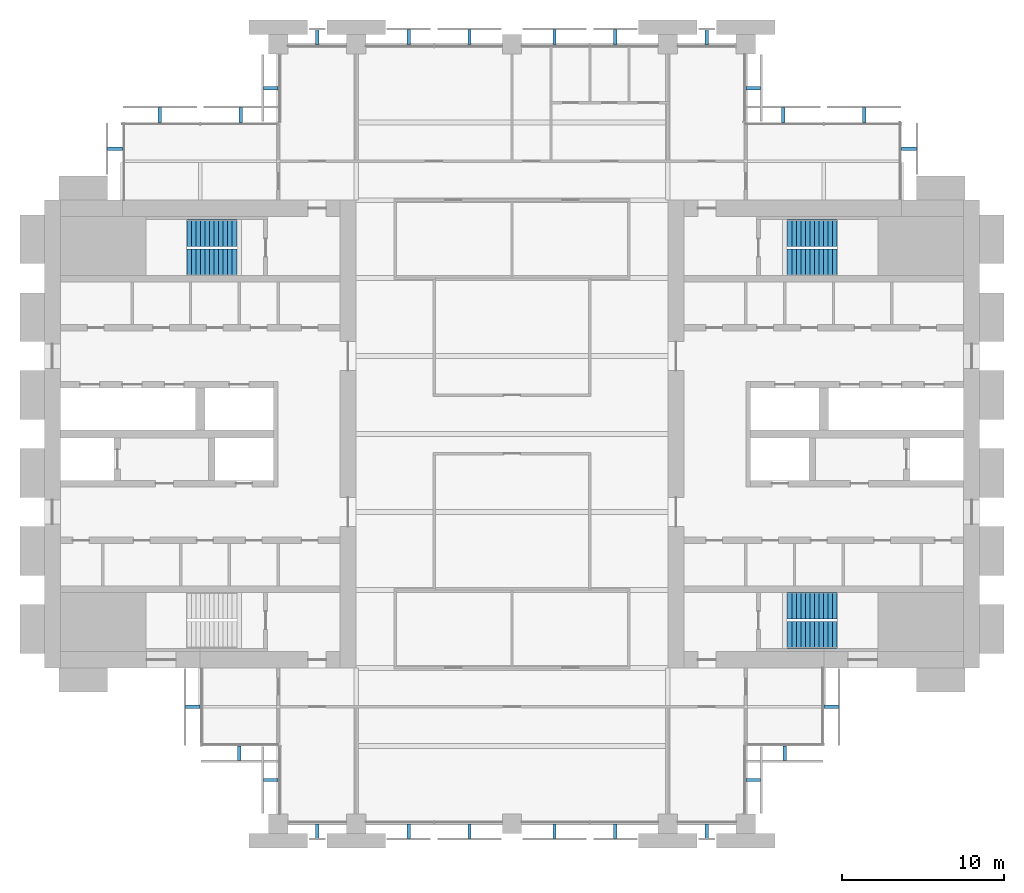
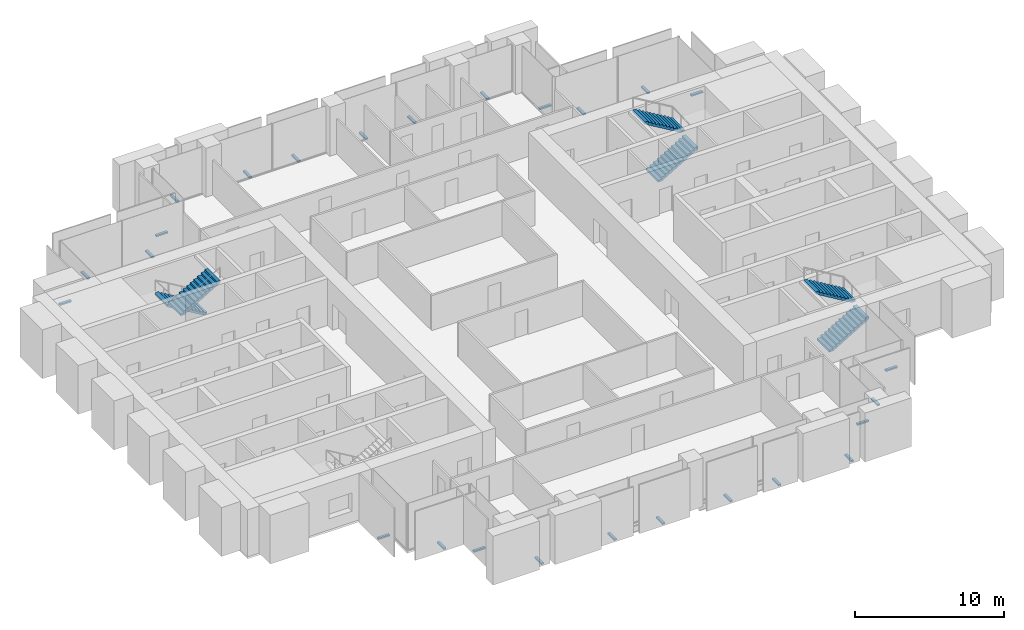
# One storey, part 13 of 14: 26 discrete accessories, 6 stair flights, 3 elements without a shape of their own.
"""IFC4 building model written with IfcOpenShell, lengths in metres."""

from ifc_helpers import new_model, si_unit, direction, frame, origin, origin_2d, place, context, subcontext, project, spatial, polyline, rectangle, outline, extrude, material, type_object, element, aggregate, save


model = new_model("IFC4")

# Units and contexts
model_context = context("Model", 3, precision=1e-05, world=origin(), true_north=direction((0.0, 1.0)))
body_context = subcontext(model_context, "Body", "Model", "MODEL_VIEW")
ifc_project = project(units=[si_unit("LENGTHUNIT", "METRE"), si_unit("AREAUNIT", "SQUARE_METRE"), si_unit("VOLUMEUNIT", "CUBIC_METRE"), si_unit("PLANEANGLEUNIT", "RADIAN"), si_unit("MASSUNIT", "GRAM", prefix="KILO")], contexts=[model_context])

# Site, building, storey
site_placement = place(None, origin())
site = spatial("IfcSite", under=ifc_project, at=site_placement, CompositionType="ELEMENT")
building_placement = place(site_placement, origin())
building = spatial("IfcBuilding", under=site, at=building_placement, Name="Baori Bourse Tower", CompositionType="ELEMENT")
storey_placement = place(building_placement, frame((0.0, 0.0, 124.10009765625)))
storey = spatial("IfcBuildingStorey", under=building, at=storey_placement, Name="L26", CompositionType="ELEMENT", Elevation=124.10009765625)

# Stair, stair flights
ifc_material_1 = material(Name="Concrete f'c 50 MPa", Category="concrete")
stair_type = type_object("IfcStairType", Name="Core stair", PredefinedType="HALF_TURN_STAIR", material=ifc_material_1)
stair_1_placement = place(storey_placement, origin())
stair_1 = element("IfcStair", 1, at=stair_1_placement, inside=storey, type_object=stair_type, Name="L26 Stair WB", PredefinedType="HALF_TURN_STAIR")
ifc_material_2 = material(Name="Concrete f'c 50 MPa", Category="concrete")
stair_flight_type = type_object("IfcStairFlightType", Name="Core stair flight", PredefinedType="STRAIGHT", material=ifc_material_2)
stair_flight_1_placement = place(storey_placement, frame((11.85009765625, 36.375, 0.0), z_axis=(0.0, 0.0, 1.0), x_axis=(-1.0, 0.0, 0.0)))
stair_flight_1 = element("IfcStairFlight", 2, at=stair_flight_1_placement, type_object=stair_flight_type, Name="ST2 flight 1", NumberOfRisers=12, NumberOfTreads=11, PredefinedType="STRAIGHT", RiserHeight=0.166666667, TreadLength=0.28, context=body_context, shape_type="SweptSolid", body=[
    extrude(outline(polyline([(0.0, 0.0), (0.0, 0.166748046875), (0.280029296875, 0.166748046875), (0.280029296875, 0.333251953125), (0.56005859375, 0.333251953125), (0.56005859375, 0.5), (0.840087890625, 0.5), (0.840087890625, 0.666748046875), (1.1201171875, 0.666748046875), (1.1201171875, 0.833251953125), (1.39990234375, 0.833251953125), (1.39990234375, 1.0), (1.679931640625, 1.0), (1.679931640625, 1.166748046875), (1.9599609375, 1.166748046875), (1.9599609375, 1.333251953125), (2.239990234375, 1.333251953125), (2.239990234375, 1.5), (2.52001953125, 1.5), (2.52001953125, 1.666748046875), (2.800048828125, 1.666748046875), (2.800048828125, 1.833251953125), (3.080078125, 1.833251953125), (3.080078125, 2.0), (3.080078125, 1.658935546875), (0.29296875, 0.0), (0.0, 0.0)])), frame((0.0, 0.824951171875, 0.0), z_axis=(0.0, -1.0, 0.0), x_axis=(1.0, 0.0, 0.0)), (0.0, 0.0, 1.0), 1.64990234375),
])
stair_flight_2_placement = place(storey_placement, frame((8.77001953125, 34.574951171875, 2.0), z_axis=(0.0, 0.0, 1.0), x_axis=(1.0, 0.0, 0.0)))
stair_flight_2 = element("IfcStairFlight", 3, at=stair_flight_2_placement, type_object=stair_flight_type, Name="ST2 flight 2", NumberOfRisers=12, NumberOfTreads=11, PredefinedType="STRAIGHT", RiserHeight=0.166666667, TreadLength=0.28, context=body_context, shape_type="SweptSolid", body=[
    extrude(outline(polyline([(0.0, 0.0), (0.0, 0.166748046875), (0.280029296875, 0.166748046875), (0.280029296875, 0.333251953125), (0.56005859375, 0.333251953125), (0.56005859375, 0.5), (0.840087890625, 0.5), (0.840087890625, 0.666748046875), (1.1201171875, 0.666748046875), (1.1201171875, 0.833251953125), (1.39990234375, 0.833251953125), (1.39990234375, 1.0), (1.679931640625, 1.0), (1.679931640625, 1.166748046875), (1.9599609375, 1.166748046875), (1.9599609375, 1.333251953125), (2.239990234375, 1.333251953125), (2.239990234375, 1.5), (2.52001953125, 1.5), (2.52001953125, 1.666748046875), (2.800048828125, 1.666748046875), (2.800048828125, 1.833251953125), (3.080078125, 1.833251953125), (3.080078125, 2.0), (3.080078125, 1.658935546875), (0.29296875, 0.0), (0.0, 0.0)])), frame((0.0, 0.824951171875, 0.0), z_axis=(0.0, -1.0, 0.0), x_axis=(1.0, 0.0, 0.0)), (0.0, 0.0, 1.0), 1.64990234375),
])
aggregate(stair_1, [stair_flight_1, stair_flight_2])

stair_2_placement = place(storey_placement, origin())
stair_2 = element("IfcStair", 4, at=stair_2_placement, inside=storey, type_object=stair_type, Name="L26 Stair EA", PredefinedType="HALF_TURN_STAIR")
stair_flight_3_placement = place(storey_placement, frame((45.75, 11.625, 0.0), z_axis=(0.0, 0.0, 1.0), x_axis=(1.0, 0.0, 0.0)))
stair_flight_3 = element("IfcStairFlight", 5, at=stair_flight_3_placement, type_object=stair_flight_type, Name="ST3 flight 1", NumberOfRisers=12, NumberOfTreads=11, PredefinedType="STRAIGHT", RiserHeight=0.166666667, TreadLength=0.28, context=body_context, shape_type="SweptSolid", body=[
    extrude(outline(polyline([(0.0, 0.0), (0.0, 0.166748046875), (0.280029296875, 0.166748046875), (0.280029296875, 0.333251953125), (0.56005859375, 0.333251953125), (0.56005859375, 0.5), (0.840087890625, 0.5), (0.840087890625, 0.666748046875), (1.1201171875, 0.666748046875), (1.1201171875, 0.833251953125), (1.39990234375, 0.833251953125), (1.39990234375, 1.0), (1.679931640625, 1.0), (1.679931640625, 1.166748046875), (1.9599609375, 1.166748046875), (1.9599609375, 1.333251953125), (2.239990234375, 1.333251953125), (2.239990234375, 1.5), (2.52001953125, 1.5), (2.52001953125, 1.666748046875), (2.800048828125, 1.666748046875), (2.800048828125, 1.833251953125), (3.080078125, 1.833251953125), (3.080078125, 2.0), (3.080078125, 1.658935546875), (0.29296875, 0.0), (0.0, 0.0)])), frame((0.0, 0.824951171875, 0.0), z_axis=(0.0, -1.0, 0.0), x_axis=(1.0, 0.0, 0.0)), (0.0, 0.0, 1.0), 1.64990234375),
])
stair_flight_4_placement = place(storey_placement, frame((48.830078125, 13.425048828125, 2.0), z_axis=(0.0, 0.0, 1.0), x_axis=(-1.0, 0.0, 0.0)))
stair_flight_4 = element("IfcStairFlight", 6, at=stair_flight_4_placement, type_object=stair_flight_type, Name="ST3 flight 2", NumberOfRisers=12, NumberOfTreads=11, PredefinedType="STRAIGHT", RiserHeight=0.166666667, TreadLength=0.28, context=body_context, shape_type="SweptSolid", body=[
    extrude(outline(polyline([(0.0, 0.0), (0.0, 0.166748046875), (0.280029296875, 0.166748046875), (0.280029296875, 0.333251953125), (0.56005859375, 0.333251953125), (0.56005859375, 0.5), (0.840087890625, 0.5), (0.840087890625, 0.666748046875), (1.1201171875, 0.666748046875), (1.1201171875, 0.833251953125), (1.39990234375, 0.833251953125), (1.39990234375, 1.0), (1.679931640625, 1.0), (1.679931640625, 1.166748046875), (1.9599609375, 1.166748046875), (1.9599609375, 1.333251953125), (2.239990234375, 1.333251953125), (2.239990234375, 1.5), (2.52001953125, 1.5), (2.52001953125, 1.666748046875), (2.800048828125, 1.666748046875), (2.800048828125, 1.833251953125), (3.080078125, 1.833251953125), (3.080078125, 2.0), (3.080078125, 1.658935546875), (0.29296875, 0.0), (0.0, 0.0)])), frame((0.0, 0.824951171875, 0.0), z_axis=(0.0, -1.0, 0.0), x_axis=(1.0, 0.0, 0.0)), (0.0, 0.0, 1.0), 1.64990234375),
])
aggregate(stair_2, [stair_flight_3, stair_flight_4])

stair_3_placement = place(storey_placement, origin())
stair_3 = element("IfcStair", 7, at=stair_3_placement, inside=storey, type_object=stair_type, Name="L26 Stair EB", PredefinedType="HALF_TURN_STAIR")
stair_flight_5_placement = place(storey_placement, frame((45.75, 34.574951171875, 0.0), z_axis=(0.0, 0.0, 1.0), x_axis=(1.0, 0.0, 0.0)))
stair_flight_5 = element("IfcStairFlight", 8, at=stair_flight_5_placement, type_object=stair_flight_type, Name="ST4 flight 1", NumberOfRisers=12, NumberOfTreads=11, PredefinedType="STRAIGHT", RiserHeight=0.166666667, TreadLength=0.28, context=body_context, shape_type="SweptSolid", body=[
    extrude(outline(polyline([(0.0, 0.0), (0.0, 0.166748046875), (0.280029296875, 0.166748046875), (0.280029296875, 0.333251953125), (0.56005859375, 0.333251953125), (0.56005859375, 0.5), (0.840087890625, 0.5), (0.840087890625, 0.666748046875), (1.1201171875, 0.666748046875), (1.1201171875, 0.833251953125), (1.39990234375, 0.833251953125), (1.39990234375, 1.0), (1.679931640625, 1.0), (1.679931640625, 1.166748046875), (1.9599609375, 1.166748046875), (1.9599609375, 1.333251953125), (2.239990234375, 1.333251953125), (2.239990234375, 1.5), (2.52001953125, 1.5), (2.52001953125, 1.666748046875), (2.800048828125, 1.666748046875), (2.800048828125, 1.833251953125), (3.080078125, 1.833251953125), (3.080078125, 2.0), (3.080078125, 1.658935546875), (0.29296875, 0.0), (0.0, 0.0)])), frame((0.0, 0.824951171875, 0.0), z_axis=(0.0, -1.0, 0.0), x_axis=(1.0, 0.0, 0.0)), (0.0, 0.0, 1.0), 1.64990234375),
])
stair_flight_6_placement = place(storey_placement, frame((48.830078125, 36.375, 2.0), z_axis=(0.0, 0.0, 1.0), x_axis=(-1.0, 0.0, 0.0)))
stair_flight_6 = element("IfcStairFlight", 9, at=stair_flight_6_placement, type_object=stair_flight_type, Name="ST4 flight 2", NumberOfRisers=12, NumberOfTreads=11, PredefinedType="STRAIGHT", RiserHeight=0.166666667, TreadLength=0.28, context=body_context, shape_type="SweptSolid", body=[
    extrude(outline(polyline([(0.0, 0.0), (0.0, 0.166748046875), (0.280029296875, 0.166748046875), (0.280029296875, 0.333251953125), (0.56005859375, 0.333251953125), (0.56005859375, 0.5), (0.840087890625, 0.5), (0.840087890625, 0.666748046875), (1.1201171875, 0.666748046875), (1.1201171875, 0.833251953125), (1.39990234375, 0.833251953125), (1.39990234375, 1.0), (1.679931640625, 1.0), (1.679931640625, 1.166748046875), (1.9599609375, 1.166748046875), (1.9599609375, 1.333251953125), (2.239990234375, 1.333251953125), (2.239990234375, 1.5), (2.52001953125, 1.5), (2.52001953125, 1.666748046875), (2.800048828125, 1.666748046875), (2.800048828125, 1.833251953125), (3.080078125, 1.833251953125), (3.080078125, 2.0), (3.080078125, 1.658935546875), (0.29296875, 0.0), (0.0, 0.0)])), frame((0.0, 0.824951171875, 0.0), z_axis=(0.0, -1.0, 0.0), x_axis=(1.0, 0.0, 0.0)), (0.0, 0.0, 1.0), 1.64990234375),
])
aggregate(stair_3, [stair_flight_5, stair_flight_6])

# Discrete accessories
ifc_material_3 = material(Name="Pale anodised aluminium", Category="aluminium")
discrete_accessory_type = type_object("IfcDiscreteAccessoryType", Name="OS2 Outer skin bracket", PredefinedType="BRACKET", material=ifc_material_3)
for number, where, z_axis, x_axis, name in (
    (10, (53.25, 41.574951171875, -0.14404296875), (0.0, 0.0, 1.0), (0.0, 1.0, 0.0), "Outer skin bracket L26 1"),
    (11, (50.487548828125, 43.64990234375, -0.14404296875), (0.0, 0.0, 1.0), (-1.0, 0.0, 0.0), "Outer skin bracket L26 2"),
    (12, (45.512451171875, 43.64990234375, -0.14404296875), (0.0, 0.0, 1.0), (-1.0, 0.0, 0.0), "Outer skin bracket L26 3"),
    (13, (43.64990234375, 45.300048828125, -0.14404296875), (0.0, 0.0, 1.0), (0.0, 1.0, 0.0), "Outer skin bracket L26 4"),
    (14, (40.800048828125, 48.449951171875, -0.14404296875), (0.0, 0.0, 1.0), (-1.0, 0.0, 0.0), "Outer skin bracket L26 5"),
    (15, (35.16259765625, 48.449951171875, -0.14404296875), (0.0, 0.0, 1.0), (-1.0, 0.0, 0.0), "Outer skin bracket L26 6"),
    (16, (31.41259765625, 48.449951171875, -0.14404296875), (0.0, 0.0, 1.0), (-1.0, 0.0, 0.0), "Outer skin bracket L26 7"),
    (17, (26.1875, 48.449951171875, -0.14404296875), (0.0, 0.0, 1.0), (-1.0, 0.0, 0.0), "Outer skin bracket L26 8"),
    (18, (22.4375, 48.449951171875, -0.14404296875), (0.0, 0.0, 1.0), (-1.0, 0.0, 0.0), "Outer skin bracket L26 9"),
    (19, (16.800048828125, 48.449951171875, -0.14404296875), (0.0, 0.0, 1.0), (-1.0, 0.0, 0.0), "Outer skin bracket L26 10"),
    (20, (13.949951171875, 45.300048828125, -0.14404296875), (0.0, 0.0, 1.0), (0.0, -1.0, 0.0), "Outer skin bracket L26 11"),
    (21, (12.08740234375, 43.64990234375, -0.14404296875), (0.0, 0.0, 1.0), (-1.0, 0.0, 0.0), "Outer skin bracket L26 12"),
    (22, (7.112548828125, 43.64990234375, -0.14404296875), (0.0, 0.0, 1.0), (-1.0, 0.0, 0.0), "Outer skin bracket L26 13"),
    (23, (4.35009765625, 41.574951171875, -0.14404296875), (0.0, 0.0, 1.0), (0.0, -1.0, 0.0), "Outer skin bracket L26 14"),
    (24, (9.14990234375, 7.199951171875, -0.14404296875), (0.0, 0.0, 1.0), (0.0, -1.0, 0.0), "Outer skin bracket L26 15"),
    (25, (12.0, 4.35009765625, -0.14404296875), (0.0, 0.0, 1.0), (1.0, 0.0, 0.0), "Outer skin bracket L26 16"),
    (26, (13.949951171875, 2.699951171875, -0.14404296875), (0.0, 0.0, 1.0), (0.0, -1.0, 0.0), "Outer skin bracket L26 17"),
    (27, (16.800048828125, -0.449951171875, -0.14404296875), (0.0, 0.0, 1.0), (1.0, 0.0, 0.0), "Outer skin bracket L26 18"),
    (28, (22.4375, -0.449951171875, -0.14404296875), (0.0, 0.0, 1.0), (1.0, 0.0, 0.0), "Outer skin bracket L26 19"),
    (29, (26.1875, -0.449951171875, -0.14404296875), (0.0, 0.0, 1.0), (1.0, 0.0, 0.0), "Outer skin bracket L26 20"),
    (30, (31.41259765625, -0.449951171875, -0.14404296875), (0.0, 0.0, 1.0), (1.0, 0.0, 0.0), "Outer skin bracket L26 21"),
    (31, (35.16259765625, -0.449951171875, -0.14404296875), (0.0, 0.0, 1.0), (1.0, 0.0, 0.0), "Outer skin bracket L26 22"),
    (32, (40.800048828125, -0.449951171875, -0.14404296875), (0.0, 0.0, 1.0), (1.0, 0.0, 0.0), "Outer skin bracket L26 23"),
    (33, (43.64990234375, 2.699951171875, -0.14404296875), (0.0, 0.0, 1.0), (0.0, 1.0, 0.0), "Outer skin bracket L26 24"),
    (34, (45.60009765625, 4.35009765625, -0.14404296875), (0.0, 0.0, 1.0), (1.0, 0.0, 0.0), "Outer skin bracket L26 25"),
    (35, (48.449951171875, 7.199951171875, -0.14404296875), (0.0, 0.0, 1.0), (0.0, 1.0, 0.0), "Outer skin bracket L26 26"),
):
    element("IfcDiscreteAccessory", number, at=place(storey_placement, frame(where, z_axis=z_axis, x_axis=x_axis)), inside=storey, type_object=discrete_accessory_type, Name=name, PredefinedType="BRACKET", context=body_context, shape_type="SweptSolid", body=[
        extrude(rectangle(XDim=0.199951171875, YDim=0.89990234375, at=origin_2d()), origin(), (0.0, 0.0, 1.0), 0.1279296875),
    ])

save(model, "model.ifc")
